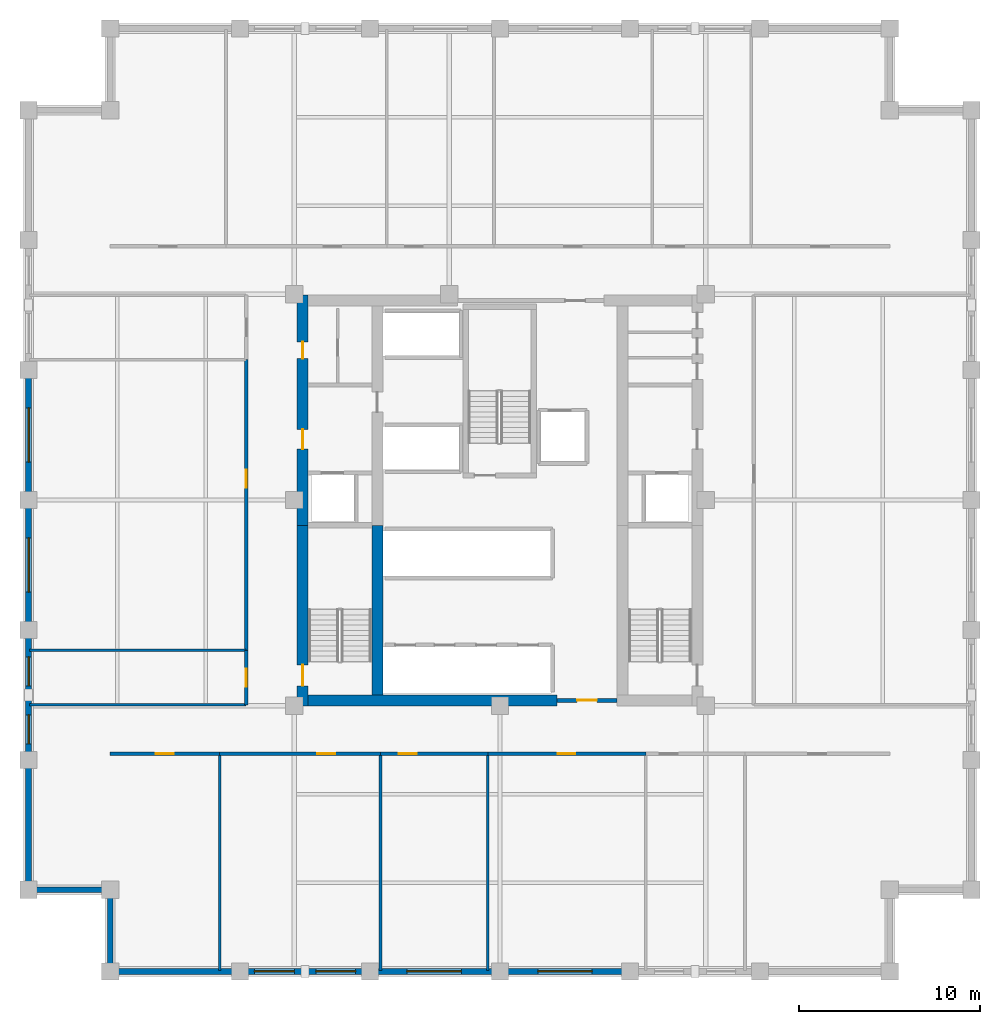
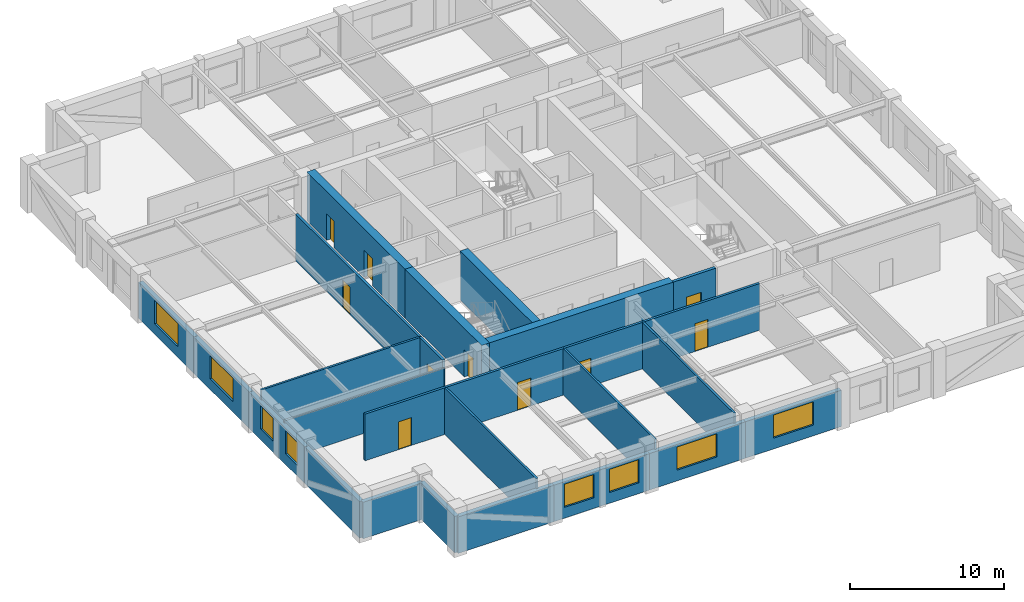
# One storey, part 2 of 6: 26 walls, 10 doors, 8 windows, 18 openings.
"""IFC4 building model written with IfcOpenShell, lengths in metres."""

from ifc_helpers import new_model, si_unit, direction, frame, frame_2d, origin, place, context, subcontext, project, spatial, rectangle, extrude, material, layer, layer_set, type_object, element, fill, save


model = new_model("IFC4")

# Units and contexts
model_context = context("Model", 3, precision=1e-05, world=origin(), true_north=direction((0.0, 1.0)))
body_context = subcontext(model_context, "Body", "Model", "MODEL_VIEW")
ifc_project = project(units=[si_unit("LENGTHUNIT", "METRE"), si_unit("AREAUNIT", "SQUARE_METRE"), si_unit("VOLUMEUNIT", "CUBIC_METRE"), si_unit("PLANEANGLEUNIT", "RADIAN"), si_unit("MASSUNIT", "GRAM", prefix="KILO")], contexts=[model_context])

# Site, building, storey
site_placement = place(None, origin())
site = spatial("IfcSite", under=ifc_project, at=site_placement, CompositionType="ELEMENT")
building_placement = place(site_placement, origin())
building = spatial("IfcBuilding", under=site, at=building_placement, Name="Nhamokura Convention Tower", CompositionType="ELEMENT")
storey_placement = place(building_placement, frame((0.0, 0.0, 129.85009765625)))
storey = spatial("IfcBuildingStorey", under=building, at=storey_placement, Name="L31", CompositionType="ELEMENT", Elevation=129.85009765625)

# Wall
ifc_material_1 = material(Name="Bronze-pigmented precast concrete C45/55", Category="concrete")
ifc_layer_1 = layer(ifc_material_1, 0.320068359375)
ifc_layer_set_1 = layer_set([ifc_layer_1], Name="BronzePrecastSpandrel_320")
wall_type_1 = type_object("IfcWallType", Name="BronzePrecastSpandrel_320", PredefinedType="USERDEFINED", material=ifc_layer_set_1)
wall_1_placement = place(storey_placement, frame((17.666748046875, 6.0, 0.0), z_axis=(0.0, 0.0, 1.0), x_axis=(-1.0, 0.0, 0.0)))
element("IfcWall", 1, at=wall_1_placement, inside=storey, type_object=wall_type_1, Name="L31 Braced-Bay Precast Wall SOUTH 0", ObjectType="SPANDREL_WALL", PredefinedType="USERDEFINED", context=body_context, shape_type="SweptSolid", body=[
    extrude(rectangle(XDim=7.166748046875, YDim=0.320068359375, at=frame_2d((3.58349609375, 0.0))), origin(), (0.0, 0.0, 1.0), 2.885009765625),
])

# Wall, openings, windows
wall_2_placement = place(storey_placement, frame((24.833251953125, 6.0, 0.0), z_axis=(0.0, 0.0, 1.0), x_axis=(-1.0, 0.0, 0.0)))
wall_2 = element("IfcWall", 2, at=wall_2_placement, inside=storey, type_object=wall_type_1, Name="L31 Masonry-Frame Wall SOUTH 1", ObjectType="SPANDREL_WALL", PredefinedType="USERDEFINED", context=body_context, shape_type="SweptSolid", body=[
    extrude(rectangle(XDim=7.16650390625, YDim=0.320068359375, at=frame_2d((3.583251953125, 0.0))), origin(), (0.0, 0.0, 1.0), 2.885009765625),
])
opening_1_placement = place(wall_2_placement, frame((0.791748046875, 0.0, 0.85009765625)))
opening_1 = element("IfcOpeningElement", 3, at=opening_1_placement, cuts=wall_2, Name="Opening W-06", PredefinedType="OPENING", context=body_context, shape_type="SweptSolid", body=[
    extrude(rectangle(XDim=2.199951171875, YDim=1.8349609375, at=frame_2d((1.10009765625, 0.91748046875))), frame((0.0, 0.169921875, 0.0), z_axis=(0.0, -1.0, 0.0), x_axis=(1.0, 0.0, 0.0)), (0.0, 0.0, 1.0), 0.340087890625),
])
opening_2_placement = place(wall_2_placement, frame((4.175048828125, 0.0, 0.85009765625)))
opening_2 = element("IfcOpeningElement", 4, at=opening_2_placement, cuts=wall_2, Name="Opening W-06", PredefinedType="OPENING", context=body_context, shape_type="SweptSolid", body=[
    extrude(rectangle(XDim=2.199951171875, YDim=1.8349609375, at=frame_2d((1.10009765625, 0.91748046875))), frame((0.0, 0.169921875, 0.0), z_axis=(0.0, -1.0, 0.0), x_axis=(1.0, 0.0, 0.0)), (0.0, 0.0, 1.0), 0.340087890625),
])
ifc_material_2 = material(Name="Solar-control bronze low-E double glass", Category="glass")
window_type_1 = type_object("IfcWindowType", Name="OfficeModuleWindow_Z2_2200", PartitioningType="SINGLE_PANEL", PredefinedType="WINDOW", material=ifc_material_2)
window_1_placement = place(opening_1_placement, origin())
window_1 = element("IfcWindow", 5, at=window_1_placement, inside=storey, type_object=window_type_1, Name="L31 Facade Window SOUTH 1-1", OverallHeight=1.8349609375, OverallWidth=2.199951171875, PartitioningType="SINGLE_PANEL", PredefinedType="WINDOW", context=body_context, shape_type="SweptSolid", body=[
    extrude(rectangle(XDim=2.199951171875, YDim=1.8349609375, at=frame_2d((1.10009765625, 0.91748046875))), frame((0.0, 0.030029296875, 0.0), z_axis=(0.0, -1.0, 0.0), x_axis=(1.0, 0.0, 0.0)), (0.0, 0.0, 1.0), 0.06005859375),
])
fill(opening_1, window_1)
window_2_placement = place(opening_2_placement, origin())
window_2 = element("IfcWindow", 6, at=window_2_placement, inside=storey, type_object=window_type_1, Name="L31 Facade Window SOUTH 1-2", OverallHeight=1.8349609375, OverallWidth=2.199951171875, PartitioningType="SINGLE_PANEL", PredefinedType="WINDOW", context=body_context, shape_type="SweptSolid", body=[
    extrude(rectangle(XDim=2.199951171875, YDim=1.8349609375, at=frame_2d((1.10009765625, 0.91748046875))), frame((0.0, 0.030029296875, 0.0), z_axis=(0.0, -1.0, 0.0), x_axis=(1.0, 0.0, 0.0)), (0.0, 0.0, 1.0), 0.06005859375),
])
fill(opening_2, window_2)

# Wall, opening, window
wall_3_placement = place(storey_placement, frame((32.0, 6.0, 0.0), z_axis=(0.0, 0.0, 1.0), x_axis=(-1.0, 0.0, 0.0)))
wall_3 = element("IfcWall", 7, at=wall_3_placement, inside=storey, type_object=wall_type_1, Name="L31 Masonry-Frame Wall SOUTH 2", ObjectType="SPANDREL_WALL", PredefinedType="USERDEFINED", context=body_context, shape_type="SweptSolid", body=[
    extrude(rectangle(XDim=7.166748046875, YDim=0.320068359375, at=frame_2d((3.58349609375, 0.0))), origin(), (0.0, 0.0, 1.0), 2.885009765625),
])
opening_3_placement = place(wall_3_placement, frame((2.13330078125, 0.0, 0.85009765625)))
opening_3 = element("IfcOpeningElement", 8, at=opening_3_placement, cuts=wall_3, Name="Opening W-05", PredefinedType="OPENING", context=body_context, shape_type="SweptSolid", body=[
    extrude(rectangle(XDim=3.0, YDim=1.8349609375, at=frame_2d((1.5, 0.91748046875))), frame((0.0, 0.169921875, 0.0), z_axis=(0.0, -1.0, 0.0), x_axis=(1.0, 0.0, 0.0)), (0.0, 0.0, 1.0), 0.340087890625),
])
ifc_material_3 = material(Name="Solar-control bronze low-E double glass", Category="glass")
window_type_2 = type_object("IfcWindowType", Name="OfficeModuleWindow_Z2_3000", PartitioningType="DOUBLE_PANEL_VERTICAL", PredefinedType="WINDOW", material=ifc_material_3)
window_3_placement = place(opening_3_placement, origin())
window_3 = element("IfcWindow", 9, at=window_3_placement, inside=storey, type_object=window_type_2, Name="L31 Facade Window SOUTH 2", OverallHeight=1.8349609375, OverallWidth=3.0, PartitioningType="SINGLE_PANEL", PredefinedType="WINDOW", context=body_context, shape_type="SweptSolid", body=[
    extrude(rectangle(XDim=3.0, YDim=1.8349609375, at=frame_2d((1.5, 0.91748046875))), frame((0.0, 0.030029296875, 0.0), z_axis=(0.0, -1.0, 0.0), x_axis=(1.0, 0.0, 0.0)), (0.0, 0.0, 1.0), 0.06005859375),
])
fill(opening_3, window_3)

wall_4_placement = place(storey_placement, frame((39.166748046875, 6.0, 0.0), z_axis=(0.0, 0.0, 1.0), x_axis=(-1.0, 0.0, 0.0)))
wall_4 = element("IfcWall", 10, at=wall_4_placement, inside=storey, type_object=wall_type_1, Name="L31 Masonry-Frame Wall SOUTH 3", ObjectType="SPANDREL_WALL", PredefinedType="USERDEFINED", context=body_context, shape_type="SweptSolid", body=[
    extrude(rectangle(XDim=7.166748046875, YDim=0.320068359375, at=frame_2d((3.58349609375, 0.0))), origin(), (0.0, 0.0, 1.0), 2.885009765625),
])
opening_4_placement = place(wall_4_placement, frame((2.083251953125, 0.0, 0.85009765625)))
opening_4 = element("IfcOpeningElement", 11, at=opening_4_placement, cuts=wall_4, Name="Opening W-05", PredefinedType="OPENING", context=body_context, shape_type="SweptSolid", body=[
    extrude(rectangle(XDim=3.0, YDim=1.8349609375, at=frame_2d((1.5, 0.91748046875))), frame((0.0, 0.169921875, 0.0), z_axis=(0.0, -1.0, 0.0), x_axis=(1.0, 0.0, 0.0)), (0.0, 0.0, 1.0), 0.340087890625),
])
window_4_placement = place(opening_4_placement, origin())
window_4 = element("IfcWindow", 12, at=window_4_placement, inside=storey, type_object=window_type_2, Name="L31 Facade Window SOUTH 3", OverallHeight=1.8349609375, OverallWidth=3.0, PartitioningType="SINGLE_PANEL", PredefinedType="WINDOW", context=body_context, shape_type="SweptSolid", body=[
    extrude(rectangle(XDim=3.0, YDim=1.8349609375, at=frame_2d((1.5, 0.91748046875))), frame((0.0, 0.030029296875, 0.0), z_axis=(0.0, -1.0, 0.0), x_axis=(1.0, 0.0, 0.0)), (0.0, 0.0, 1.0), 0.06005859375),
])
fill(opening_4, window_4)

# Wall
wall_5_placement = place(storey_placement, frame((6.0, 10.5, 0.0), z_axis=(0.0, 0.0, 1.0), x_axis=(0.0, 1.0, 0.0)))
element("IfcWall", 13, at=wall_5_placement, inside=storey, type_object=wall_type_1, Name="L31 Braced-Bay Precast Wall WEST 0", ObjectType="SPANDREL_WALL", PredefinedType="USERDEFINED", context=body_context, shape_type="SweptSolid", body=[
    extrude(rectangle(XDim=7.166748046875, YDim=0.320068359375, at=frame_2d((3.58349609375, 0.0))), origin(), (0.0, 0.0, 1.0), 2.885009765625),
])

# Wall, openings, windows
wall_6_placement = place(storey_placement, frame((6.0, 17.666748046875, 0.0), z_axis=(0.0, 0.0, 1.0), x_axis=(0.0, 1.0, 0.0)))
wall_6 = element("IfcWall", 14, at=wall_6_placement, inside=storey, type_object=wall_type_1, Name="L31 Masonry-Frame Wall WEST 1", ObjectType="SPANDREL_WALL", PredefinedType="USERDEFINED", context=body_context, shape_type="SweptSolid", body=[
    extrude(rectangle(XDim=7.16650390625, YDim=0.320068359375, at=frame_2d((3.583251953125, 0.0))), origin(), (0.0, 0.0, 1.0), 2.885009765625),
])
opening_5_placement = place(wall_6_placement, frame((0.879150390625, 0.0, 0.85009765625)))
opening_5 = element("IfcOpeningElement", 15, at=opening_5_placement, cuts=wall_6, Name="Opening W-11", PredefinedType="OPENING", context=body_context, shape_type="SweptSolid", body=[
    extrude(rectangle(XDim=1.60009765625, YDim=1.8349609375, at=frame_2d((0.800048828125, 0.91748046875))), frame((0.0, 0.169921875, 0.0), z_axis=(0.0, -1.0, 0.0), x_axis=(1.0, 0.0, 0.0)), (0.0, 0.0, 1.0), 0.340087890625),
])
opening_6_placement = place(wall_6_placement, frame((4.074951171875, 0.0, 0.85009765625)))
opening_6 = element("IfcOpeningElement", 16, at=opening_6_placement, cuts=wall_6, Name="Opening W-11", PredefinedType="OPENING", context=body_context, shape_type="SweptSolid", body=[
    extrude(rectangle(XDim=1.60009765625, YDim=1.8349609375, at=frame_2d((0.800048828125, 0.91748046875))), frame((0.0, 0.169921875, 0.0), z_axis=(0.0, -1.0, 0.0), x_axis=(1.0, 0.0, 0.0)), (0.0, 0.0, 1.0), 0.340087890625),
])
ifc_material_4 = material(Name="Solar-control bronze low-E double glass", Category="glass")
window_type_3 = type_object("IfcWindowType", Name="NotchCornerWindow_1600", PartitioningType="SINGLE_PANEL", PredefinedType="WINDOW", material=ifc_material_4)
window_5_placement = place(opening_5_placement, origin())
window_5 = element("IfcWindow", 17, at=window_5_placement, inside=storey, type_object=window_type_3, Name="L31 Facade Window WEST 1-1", OverallHeight=1.8349609375, OverallWidth=1.60009765625, PartitioningType="SINGLE_PANEL", PredefinedType="WINDOW", context=body_context, shape_type="SweptSolid", body=[
    extrude(rectangle(XDim=1.60009765625, YDim=1.8349609375, at=frame_2d((0.800048828125, 0.91748046875))), frame((0.0, 0.030029296875, 0.0), z_axis=(0.0, -1.0, 0.0), x_axis=(1.0, 0.0, 0.0)), (0.0, 0.0, 1.0), 0.06005859375),
])
fill(opening_5, window_5)
window_6_placement = place(opening_6_placement, origin())
window_6 = element("IfcWindow", 18, at=window_6_placement, inside=storey, type_object=window_type_3, Name="L31 Facade Window WEST 1-2", OverallHeight=1.8349609375, OverallWidth=1.60009765625, PartitioningType="SINGLE_PANEL", PredefinedType="WINDOW", context=body_context, shape_type="SweptSolid", body=[
    extrude(rectangle(XDim=1.60009765625, YDim=1.8349609375, at=frame_2d((0.800048828125, 0.91748046875))), frame((0.0, 0.030029296875, 0.0), z_axis=(0.0, -1.0, 0.0), x_axis=(1.0, 0.0, 0.0)), (0.0, 0.0, 1.0), 0.06005859375),
])
fill(opening_6, window_6)

# Wall, opening, window
wall_7_placement = place(storey_placement, frame((6.0, 24.833251953125, 0.0), z_axis=(0.0, 0.0, 1.0), x_axis=(0.0, 1.0, 0.0)))
wall_7 = element("IfcWall", 19, at=wall_7_placement, inside=storey, type_object=wall_type_1, Name="L31 Masonry-Frame Wall WEST 2", ObjectType="SPANDREL_WALL", PredefinedType="USERDEFINED", context=body_context, shape_type="SweptSolid", body=[
    extrude(rectangle(XDim=7.166748046875, YDim=0.320068359375, at=frame_2d((3.58349609375, 0.0))), origin(), (0.0, 0.0, 1.0), 2.885009765625),
])
opening_7_placement = place(wall_7_placement, frame((2.083251953125, 0.0, 0.85009765625)))
opening_7 = element("IfcOpeningElement", 20, at=opening_7_placement, cuts=wall_7, Name="Opening W-05", PredefinedType="OPENING", context=body_context, shape_type="SweptSolid", body=[
    extrude(rectangle(XDim=3.0, YDim=1.8349609375, at=frame_2d((1.5, 0.91748046875))), frame((0.0, 0.169921875, 0.0), z_axis=(0.0, -1.0, 0.0), x_axis=(1.0, 0.0, 0.0)), (0.0, 0.0, 1.0), 0.340087890625),
])
window_7_placement = place(opening_7_placement, origin())
window_7 = element("IfcWindow", 21, at=window_7_placement, inside=storey, type_object=window_type_2, Name="L31 Facade Window WEST 2", OverallHeight=1.8349609375, OverallWidth=3.0, PartitioningType="SINGLE_PANEL", PredefinedType="WINDOW", context=body_context, shape_type="SweptSolid", body=[
    extrude(rectangle(XDim=3.0, YDim=1.8349609375, at=frame_2d((1.5, 0.91748046875))), frame((0.0, 0.030029296875, 0.0), z_axis=(0.0, -1.0, 0.0), x_axis=(1.0, 0.0, 0.0)), (0.0, 0.0, 1.0), 0.06005859375),
])
fill(opening_7, window_7)

wall_8_placement = place(storey_placement, frame((6.0, 32.0, 0.0), z_axis=(0.0, 0.0, 1.0), x_axis=(0.0, 1.0, 0.0)))
wall_8 = element("IfcWall", 22, at=wall_8_placement, inside=storey, type_object=wall_type_1, Name="L31 Masonry-Frame Wall WEST 3", ObjectType="SPANDREL_WALL", PredefinedType="USERDEFINED", context=body_context, shape_type="SweptSolid", body=[
    extrude(rectangle(XDim=7.166748046875, YDim=0.320068359375, at=frame_2d((3.58349609375, 0.0))), origin(), (0.0, 0.0, 1.0), 2.885009765625),
])
opening_8_placement = place(wall_8_placement, frame((2.083251953125, 0.0, 0.85009765625)))
opening_8 = element("IfcOpeningElement", 23, at=opening_8_placement, cuts=wall_8, Name="Opening W-05", PredefinedType="OPENING", context=body_context, shape_type="SweptSolid", body=[
    extrude(rectangle(XDim=3.0, YDim=1.8349609375, at=frame_2d((1.5, 0.91748046875))), frame((0.0, 0.169921875, 0.0), z_axis=(0.0, -1.0, 0.0), x_axis=(1.0, 0.0, 0.0)), (0.0, 0.0, 1.0), 0.340087890625),
])
window_8_placement = place(opening_8_placement, origin())
window_8 = element("IfcWindow", 24, at=window_8_placement, inside=storey, type_object=window_type_2, Name="L31 Facade Window WEST 3", OverallHeight=1.8349609375, OverallWidth=3.0, PartitioningType="SINGLE_PANEL", PredefinedType="WINDOW", context=body_context, shape_type="SweptSolid", body=[
    extrude(rectangle(XDim=3.0, YDim=1.8349609375, at=frame_2d((1.5, 0.91748046875))), frame((0.0, 0.030029296875, 0.0), z_axis=(0.0, -1.0, 0.0), x_axis=(1.0, 0.0, 0.0)), (0.0, 0.0, 1.0), 0.06005859375),
])
fill(opening_8, window_8)

# Walls
for number, where, z_axis, x_axis, name in (
    (25, (10.5, 6.0, 0.0), (0.0, 0.0, 1.0), (0.0, 1.0, 0.0), "L31 Notched Corner Wall SW1"),
    (26, (10.5, 10.5, 0.0), (0.0, 0.0, 1.0), (-1.0, 0.0, 0.0), "L31 Notched Corner Wall SW2"),
):
    element("IfcWall", number, at=place(storey_placement, frame(where, z_axis=z_axis, x_axis=x_axis)), inside=storey, type_object=wall_type_1, Name=name, ObjectType="SPANDREL_WALL", PredefinedType="USERDEFINED", context=body_context, shape_type="SweptSolid", body=[
        extrude(rectangle(XDim=4.5, YDim=0.320068359375, at=frame_2d((2.25, 0.0))), origin(), (0.0, 0.0, 1.0), 2.885009765625),
    ])

# Wall, opening, door
ifc_material_5 = material(Name="Concrete C60/75", Category="concrete")
ifc_layer_2 = layer(ifc_material_5, 0.60009765625)
ifc_layer_set_2 = layer_set([ifc_layer_2], Name="CoreShearWall_600")
wall_type_2 = type_object("IfcWallType", Name="CoreShearWall_600", PredefinedType="SHEAR", material=ifc_layer_set_2)
wall_9_placement = place(storey_placement, frame((21.110107421875, 20.64990234375, 0.0), z_axis=(0.0, 0.0, 1.0), x_axis=(0.0, 1.0, 0.0)))
wall_9 = element("IfcWall", 27, at=wall_9_placement, inside=storey, type_object=wall_type_2, Name="L31 Core Shear Wall CW-WS", PredefinedType="SHEAR", context=body_context, shape_type="SweptSolid", body=[
    extrude(rectangle(XDim=9.9501953125, YDim=0.60009765625, at=frame_2d((4.97509765625, 0.0))), origin(), (0.0, 0.0, 1.0), 3.849853515625),
])
opening_9_placement = place(wall_9_placement, frame((1.10009765625, 0.0, 0.0)))
opening_9 = element("IfcOpeningElement", 28, at=opening_9_placement, cuts=wall_9, Name="Opening D-04", PredefinedType="OPENING", context=body_context, shape_type="SweptSolid", body=[
    extrude(rectangle(XDim=1.14990234375, YDim=2.14990234375, at=frame_2d((0.574951171875, 1.074951171875))), frame((0.0, 0.31005859375, 0.0), z_axis=(0.0, -1.0, 0.0), x_axis=(1.0, 0.0, 0.0)), (0.0, 0.0, 1.0), 0.6201171875),
])
ifc_material_6 = material(Name="Fire-rated steel door", Category="steel")
door_type_1 = type_object("IfcDoorType", Name="StairSmokeDoor_1150", OperationType="NOTDEFINED", PredefinedType="DOOR", material=ifc_material_6)
door_1_placement = place(opening_9_placement, origin())
door_1 = element("IfcDoor", 29, at=door_1_placement, inside=storey, type_object=door_type_1, Name="L31 Core Door INT-L31-D-ST01", OperationType="SINGLE_SWING_LEFT", OverallHeight=2.14990234375, OverallWidth=1.14990234375, PredefinedType="DOOR", context=body_context, shape_type="SweptSolid", body=[
    extrude(rectangle(XDim=1.14990234375, YDim=2.14990234375, at=frame_2d((0.574951171875, 1.074951171875))), frame((0.0, 0.02490234375, 0.0), z_axis=(0.0, -1.0, 0.0), x_axis=(1.0, 0.0, 0.0)), (0.0, 0.0, 1.0), 0.050048828125),
])
fill(opening_9, door_1)

# Wall, openings, doors
wall_10_placement = place(storey_placement, frame((21.110107421875, 30.60009765625, 0.0), z_axis=(0.0, 0.0, 1.0), x_axis=(0.0, 1.0, 0.0)))
wall_10 = element("IfcWall", 30, at=wall_10_placement, inside=storey, type_object=wall_type_2, Name="L31 Core Shear Wall CW-WN", PredefinedType="SHEAR", context=body_context, shape_type="SweptSolid", body=[
    extrude(rectangle(XDim=12.699951171875, YDim=0.60009765625, at=frame_2d((6.35009765625, 0.0))), origin(), (0.0, 0.0, 1.0), 3.849853515625),
])
opening_10_placement = place(wall_10_placement, frame((4.199951171875, 0.0, 0.0)))
opening_10 = element("IfcOpeningElement", 31, at=opening_10_placement, cuts=wall_10, Name="Opening D-05", PredefinedType="OPENING", context=body_context, shape_type="SweptSolid", body=[
    extrude(rectangle(XDim=1.10009765625, YDim=2.14990234375, at=frame_2d((0.550048828125, 1.074951171875))), frame((0.0, 0.31005859375, 0.0), z_axis=(0.0, -1.0, 0.0), x_axis=(1.0, 0.0, 0.0)), (0.0, 0.0, 1.0), 0.6201171875),
])
opening_11_placement = place(wall_10_placement, frame((9.199951171875, 0.0, 0.0)))
opening_11 = element("IfcOpeningElement", 32, at=opening_11_placement, cuts=wall_10, Name="Opening D-10", PredefinedType="OPENING", context=body_context, shape_type="SweptSolid", body=[
    extrude(rectangle(XDim=0.919921875, YDim=2.10009765625, at=frame_2d((0.4599609375, 1.050048828125))), frame((0.0, 0.31005859375, 0.0), z_axis=(0.0, -1.0, 0.0), x_axis=(1.0, 0.0, 0.0)), (0.0, 0.0, 1.0), 0.6201171875),
])
ifc_material_7 = material(Name="Solid oak hardwood", Category="wood")
door_type_2 = type_object("IfcDoorType", Name="AccessibleWCDoor_920", OperationType="NOTDEFINED", PredefinedType="DOOR", material=ifc_material_7)
door_2_placement = place(opening_11_placement, origin())
door_2 = element("IfcDoor", 33, at=door_2_placement, inside=storey, type_object=door_type_2, Name="L31 Core Door INT-L31-D-AWCW", OperationType="SINGLE_SWING_RIGHT", OverallHeight=2.10009765625, OverallWidth=0.919921875, PredefinedType="DOOR", context=body_context, shape_type="SweptSolid", body=[
    extrude(rectangle(XDim=0.919921875, YDim=2.10009765625, at=frame_2d((0.4599609375, 1.050048828125))), frame((0.0, 0.02490234375, 0.0), z_axis=(0.0, -1.0, 0.0), x_axis=(1.0, 0.0, 0.0)), (0.0, 0.0, 1.0), 0.050048828125),
])
fill(opening_11, door_2)
ifc_material_8 = material(Name="Fire-rated steel door", Category="steel")
door_type_3 = type_object("IfcDoorType", Name="FireLobbyDoor_1100", OperationType="NOTDEFINED", PredefinedType="DOOR", material=ifc_material_8)
door_3_placement = place(opening_10_placement, origin())
door_3 = element("IfcDoor", 34, at=door_3_placement, inside=storey, type_object=door_type_3, Name="L31 Core Door INT-L31-D-FFLW", OperationType="SINGLE_SWING_RIGHT", OverallHeight=2.14990234375, OverallWidth=1.10009765625, PredefinedType="DOOR", context=body_context, shape_type="SweptSolid", body=[
    extrude(rectangle(XDim=1.10009765625, YDim=2.14990234375, at=frame_2d((0.550048828125, 1.074951171875))), frame((0.0, 0.02490234375, 0.0), z_axis=(0.0, -1.0, 0.0), x_axis=(1.0, 0.0, 0.0)), (0.0, 0.0, 1.0), 0.050048828125),
])
fill(opening_10, door_3)

# Walls
wall_11_placement = place(storey_placement, frame((21.409912109375, 20.949951171875, 0.0), z_axis=(0.0, 0.0, 1.0), x_axis=(1.0, 0.0, 0.0)))
element("IfcWall", 35, at=wall_11_placement, inside=storey, type_object=wall_type_2, Name="L31 Core Shear Wall CW-S1", PredefinedType="SHEAR", context=body_context, shape_type="SweptSolid", body=[
    extrude(rectangle(XDim=13.739990234375, YDim=0.60009765625, at=frame_2d((6.8701171875, 0.0))), origin(), (0.0, 0.0, 1.0), 3.849853515625),
])
wall_12_placement = place(storey_placement, frame((25.239990234375, 21.25, 0.0), z_axis=(0.0, 0.0, 1.0), x_axis=(0.0, 1.0, 0.0)))
element("IfcWall", 36, at=wall_12_placement, inside=storey, type_object=wall_type_2, Name="L31 Core Shear Wall CW-IWS", PredefinedType="SHEAR", context=body_context, shape_type="SweptSolid", body=[
    extrude(rectangle(XDim=9.35009765625, YDim=0.60009765625, at=frame_2d((4.675048828125, 0.0))), origin(), (0.0, 0.0, 1.0), 3.849853515625),
])

# Wall, opening, door
ifc_material_9 = material(Name="Fire-rated gypsum and masonry partition", Category="masonry")
ifc_layer_3 = layer(ifc_material_9, 0.179931640625)
ifc_layer_set_3 = layer_set([ifc_layer_3], Name="CorridorRatedWall_180")
wall_type_3 = type_object("IfcWallType", Name="CorridorRatedWall_180", PredefinedType="STANDARD", material=ifc_layer_set_3)
wall_13_placement = place(storey_placement, frame((10.5, 18.0, 0.0), z_axis=(0.0, 0.0, 1.0), x_axis=(1.0, 0.0, 0.0)))
wall_13 = element("IfcWall", 37, at=wall_13_placement, inside=storey, type_object=wall_type_3, Name="L31 Wall INT-L31-CW-S00", PredefinedType="STANDARD", context=body_context, shape_type="SweptSolid", body=[
    extrude(rectangle(XDim=6.041748046875, YDim=0.179931640625, at=frame_2d((3.02099609375, 0.0))), origin(), (0.0, 0.0, 1.0), 3.684814453125),
])
opening_12_placement = place(wall_13_placement, frame((2.520751953125, 0.0, 0.0)))
opening_12 = element("IfcOpeningElement", 38, at=opening_12_placement, cuts=wall_13, Name="Opening D-08", PredefinedType="OPENING", context=body_context, shape_type="SweptSolid", body=[
    extrude(rectangle(XDim=0.97998046875, YDim=2.199951171875, at=frame_2d((0.489990234375, 1.10009765625))), frame((0.0, 0.099853515625, 0.0), z_axis=(0.0, -1.0, 0.0), x_axis=(1.0, 0.0, 0.0)), (0.0, 0.0, 1.0), 0.199951171875),
])
ifc_material_10 = material(Name="Solid oak hardwood", Category="wood")
door_type_4 = type_object("IfcDoorType", Name="OfficeEntryDoor_980", OperationType="NOTDEFINED", PredefinedType="DOOR", material=ifc_material_10)
door_4_placement = place(opening_12_placement, origin())
door_4 = element("IfcDoor", 39, at=door_4_placement, inside=storey, type_object=door_type_4, Name="L31 Private Office S01 Door", OperationType="SINGLE_SWING_LEFT", OverallHeight=2.199951171875, OverallWidth=0.97998046875, PredefinedType="DOOR", context=body_context, shape_type="SweptSolid", body=[
    extrude(rectangle(XDim=0.97998046875, YDim=2.199951171875, at=frame_2d((0.489990234375, 1.10009765625))), frame((0.0, 0.02490234375, 0.0), z_axis=(0.0, -1.0, 0.0), x_axis=(1.0, 0.0, 0.0)), (0.0, 0.0, 1.0), 0.050048828125),
])
fill(opening_12, door_4)

wall_14_placement = place(storey_placement, frame((16.541748046875, 18.0, 0.0), z_axis=(0.0, 0.0, 1.0), x_axis=(1.0, 0.0, 0.0)))
wall_14 = element("IfcWall", 40, at=wall_14_placement, inside=storey, type_object=wall_type_3, Name="L31 Wall INT-L31-CW-S01", PredefinedType="STANDARD", context=body_context, shape_type="SweptSolid", body=[
    extrude(rectangle(XDim=8.866455078125, YDim=0.179931640625, at=frame_2d((4.43310546875, 0.0))), origin(), (0.0, 0.0, 1.0), 3.684814453125),
])
opening_13_placement = place(wall_14_placement, frame((5.38330078125, 0.0, 0.0)))
opening_13 = element("IfcOpeningElement", 41, at=opening_13_placement, cuts=wall_14, Name="Opening D-08", PredefinedType="OPENING", context=body_context, shape_type="SweptSolid", body=[
    extrude(rectangle(XDim=0.97998046875, YDim=2.199951171875, at=frame_2d((0.489990234375, 1.10009765625))), frame((0.0, 0.099853515625, 0.0), z_axis=(0.0, -1.0, 0.0), x_axis=(1.0, 0.0, 0.0)), (0.0, 0.0, 1.0), 0.199951171875),
])
door_5_placement = place(opening_13_placement, origin())
door_5 = element("IfcDoor", 42, at=door_5_placement, inside=storey, type_object=door_type_4, Name="L31 Private Office S02 Door", OperationType="SINGLE_SWING_RIGHT", OverallHeight=2.199951171875, OverallWidth=0.97998046875, PredefinedType="DOOR", context=body_context, shape_type="SweptSolid", body=[
    extrude(rectangle(XDim=0.97998046875, YDim=2.199951171875, at=frame_2d((0.489990234375, 1.10009765625))), frame((0.0, 0.02490234375, 0.0), z_axis=(0.0, -1.0, 0.0), x_axis=(1.0, 0.0, 0.0)), (0.0, 0.0, 1.0), 0.050048828125),
])
fill(opening_13, door_5)

wall_15_placement = place(storey_placement, frame((25.408203125, 18.0, 0.0), z_axis=(0.0, 0.0, 1.0), x_axis=(1.0, 0.0, 0.0)))
wall_15 = element("IfcWall", 43, at=wall_15_placement, inside=storey, type_object=wall_type_3, Name="L31 Wall INT-L31-CW-S02", PredefinedType="STANDARD", context=body_context, shape_type="SweptSolid", body=[
    extrude(rectangle(XDim=5.916748046875, YDim=0.179931640625, at=frame_2d((2.95849609375, 0.0))), origin(), (0.0, 0.0, 1.0), 3.684814453125),
])
opening_14_placement = place(wall_15_placement, frame((1.00830078125, 0.0, 0.0)))
opening_14 = element("IfcOpeningElement", 44, at=opening_14_placement, cuts=wall_15, Name="Opening D-08", PredefinedType="OPENING", context=body_context, shape_type="SweptSolid", body=[
    extrude(rectangle(XDim=0.97998046875, YDim=2.199951171875, at=frame_2d((0.489990234375, 1.10009765625))), frame((0.0, 0.099853515625, 0.0), z_axis=(0.0, -1.0, 0.0), x_axis=(1.0, 0.0, 0.0)), (0.0, 0.0, 1.0), 0.199951171875),
])
door_6_placement = place(opening_14_placement, origin())
door_6 = element("IfcDoor", 45, at=door_6_placement, inside=storey, type_object=door_type_4, Name="L31 Private Office S03 Door", OperationType="SINGLE_SWING_LEFT", OverallHeight=2.199951171875, OverallWidth=0.97998046875, PredefinedType="DOOR", context=body_context, shape_type="SweptSolid", body=[
    extrude(rectangle(XDim=0.97998046875, YDim=2.199951171875, at=frame_2d((0.489990234375, 1.10009765625))), frame((0.0, 0.02490234375, 0.0), z_axis=(0.0, -1.0, 0.0), x_axis=(1.0, 0.0, 0.0)), (0.0, 0.0, 1.0), 0.050048828125),
])
fill(opening_14, door_6)

wall_16_placement = place(storey_placement, frame((31.324951171875, 18.0, 0.0), z_axis=(0.0, 0.0, 1.0), x_axis=(1.0, 0.0, 0.0)))
wall_16 = element("IfcWall", 46, at=wall_16_placement, inside=storey, type_object=wall_type_3, Name="L31 Wall INT-L31-CW-S03", PredefinedType="STANDARD", context=body_context, shape_type="SweptSolid", body=[
    extrude(rectangle(XDim=8.716796875, YDim=0.179931640625, at=frame_2d((4.3583984375, 0.0))), origin(), (0.0, 0.0, 1.0), 3.684814453125),
])
opening_15_placement = place(wall_16_placement, frame((3.8583984375, 0.0, 0.0)))
opening_15 = element("IfcOpeningElement", 47, at=opening_15_placement, cuts=wall_16, Name="Opening D-08", PredefinedType="OPENING", context=body_context, shape_type="SweptSolid", body=[
    extrude(rectangle(XDim=0.97998046875, YDim=2.199951171875, at=frame_2d((0.489990234375, 1.10009765625))), frame((0.0, 0.099853515625, 0.0), z_axis=(0.0, -1.0, 0.0), x_axis=(1.0, 0.0, 0.0)), (0.0, 0.0, 1.0), 0.199951171875),
])
door_7_placement = place(opening_15_placement, origin())
door_7 = element("IfcDoor", 48, at=door_7_placement, inside=storey, type_object=door_type_4, Name="L31 Private Office S04 Door", OperationType="SINGLE_SWING_RIGHT", OverallHeight=2.199951171875, OverallWidth=0.97998046875, PredefinedType="DOOR", context=body_context, shape_type="SweptSolid", body=[
    extrude(rectangle(XDim=0.97998046875, YDim=2.199951171875, at=frame_2d((0.489990234375, 1.10009765625))), frame((0.0, 0.02490234375, 0.0), z_axis=(0.0, -1.0, 0.0), x_axis=(1.0, 0.0, 0.0)), (0.0, 0.0, 1.0), 0.050048828125),
])
fill(opening_15, door_7)

wall_17_placement = place(storey_placement, frame((18.0, 20.699951171875, 0.0), z_axis=(0.0, 0.0, 1.0), x_axis=(0.0, 1.0, 0.0)))
wall_17 = element("IfcWall", 49, at=wall_17_placement, inside=storey, type_object=wall_type_3, Name="L31 Wall INT-L31-CW-W00", PredefinedType="STANDARD", context=body_context, shape_type="SweptSolid", body=[
    extrude(rectangle(XDim=3.00830078125, YDim=0.179931640625, at=frame_2d((1.504150390625, 0.0))), origin(), (0.0, 0.0, 1.0), 3.684814453125),
])
opening_16_placement = place(wall_17_placement, frame((1.004150390625, 0.0, 0.0)))
opening_16 = element("IfcOpeningElement", 50, at=opening_16_placement, cuts=wall_17, Name="Opening D-08", PredefinedType="OPENING", context=body_context, shape_type="SweptSolid", body=[
    extrude(rectangle(XDim=0.97998046875, YDim=2.199951171875, at=frame_2d((0.489990234375, 1.10009765625))), frame((0.0, 0.099853515625, 0.0), z_axis=(0.0, -1.0, 0.0), x_axis=(1.0, 0.0, 0.0)), (0.0, 0.0, 1.0), 0.199951171875),
])
door_8_placement = place(opening_16_placement, origin())
door_8 = element("IfcDoor", 51, at=door_8_placement, inside=storey, type_object=door_type_4, Name="L31 Meeting Room W01 Door", OperationType="SINGLE_SWING_LEFT", OverallHeight=2.199951171875, OverallWidth=0.97998046875, PredefinedType="DOOR", context=body_context, shape_type="SweptSolid", body=[
    extrude(rectangle(XDim=0.97998046875, YDim=2.199951171875, at=frame_2d((0.489990234375, 1.10009765625))), frame((0.0, 0.02490234375, 0.0), z_axis=(0.0, -1.0, 0.0), x_axis=(1.0, 0.0, 0.0)), (0.0, 0.0, 1.0), 0.050048828125),
])
fill(opening_16, door_8)

wall_18_placement = place(storey_placement, frame((18.0, 23.708251953125, 0.0), z_axis=(0.0, 0.0, 1.0), x_axis=(0.0, 1.0, 0.0)))
wall_18 = element("IfcWall", 52, at=wall_18_placement, inside=storey, type_object=wall_type_3, Name="L31 Wall INT-L31-CW-W01", PredefinedType="STANDARD", context=body_context, shape_type="SweptSolid", body=[
    extrude(rectangle(XDim=16.033447265625, YDim=0.179931640625, at=frame_2d((8.0166015625, 0.0))), origin(), (0.0, 0.0, 1.0), 3.684814453125),
])
opening_17_placement = place(wall_18_placement, frame((8.966796875, 0.0, 0.0)))
opening_17 = element("IfcOpeningElement", 53, at=opening_17_placement, cuts=wall_18, Name="Opening D-08", PredefinedType="OPENING", context=body_context, shape_type="SweptSolid", body=[
    extrude(rectangle(XDim=0.97998046875, YDim=2.199951171875, at=frame_2d((0.489990234375, 1.10009765625))), frame((0.0, 0.099853515625, 0.0), z_axis=(0.0, -1.0, 0.0), x_axis=(1.0, 0.0, 0.0)), (0.0, 0.0, 1.0), 0.199951171875),
])
door_9_placement = place(opening_17_placement, origin())
door_9 = element("IfcDoor", 54, at=door_9_placement, inside=storey, type_object=door_type_4, Name="L31 Private Office W02 Door", OperationType="SINGLE_SWING_RIGHT", OverallHeight=2.199951171875, OverallWidth=0.97998046875, PredefinedType="DOOR", context=body_context, shape_type="SweptSolid", body=[
    extrude(rectangle(XDim=0.97998046875, YDim=2.199951171875, at=frame_2d((0.489990234375, 1.10009765625))), frame((0.0, 0.02490234375, 0.0), z_axis=(0.0, -1.0, 0.0), x_axis=(1.0, 0.0, 0.0)), (0.0, 0.0, 1.0), 0.050048828125),
])
fill(opening_17, door_9)

ifc_material_11 = material(Name="Autoclaved concrete blockwork", Category="masonry")
ifc_layer_4 = layer(ifc_material_11, 0.219970703125)
ifc_layer_set_4 = layer_set([ifc_layer_4], Name="FireLobbyWall_220")
wall_type_4 = type_object("IfcWallType", Name="FireLobbyWall_220", PredefinedType="STANDARD", material=ifc_layer_set_4)
wall_19_placement = place(storey_placement, frame((35.14990234375, 20.949951171875, 0.0), z_axis=(0.0, 0.0, 1.0), x_axis=(1.0, 0.0, 0.0)))
wall_19 = element("IfcWall", 55, at=wall_19_placement, inside=storey, type_object=wall_type_4, Name="L31 Wall INT-L31-SPORT-S", PredefinedType="STANDARD", context=body_context, shape_type="SweptSolid", body=[
    extrude(rectangle(XDim=3.300048828125, YDim=0.219970703125, at=frame_2d((1.64990234375, 0.0))), origin(), (0.0, 0.0, 1.0), 3.684814453125),
])
opening_18_placement = place(wall_19_placement, frame((1.10009765625, 0.0, 0.0)))
opening_18 = element("IfcOpeningElement", 56, at=opening_18_placement, cuts=wall_19, Name="Opening D-05", PredefinedType="OPENING", context=body_context, shape_type="SweptSolid", body=[
    extrude(rectangle(XDim=1.10009765625, YDim=2.14990234375, at=frame_2d((0.550048828125, 1.074951171875))), frame((0.0, 0.119873046875, 0.0), z_axis=(0.0, -1.0, 0.0), x_axis=(1.0, 0.0, 0.0)), (0.0, 0.0, 1.0), 0.239990234375),
])
door_10_placement = place(opening_18_placement, origin())
door_10 = element("IfcDoor", 57, at=door_10_placement, inside=storey, type_object=door_type_3, Name="L31 South Core Lobby Portal Door", OperationType="SINGLE_SWING_LEFT", OverallHeight=2.14990234375, OverallWidth=1.10009765625, PredefinedType="DOOR", context=body_context, shape_type="SweptSolid", body=[
    extrude(rectangle(XDim=1.10009765625, YDim=2.14990234375, at=frame_2d((0.550048828125, 1.074951171875))), frame((0.0, 0.02490234375, 0.0), z_axis=(0.0, -1.0, 0.0), x_axis=(1.0, 0.0, 0.0)), (0.0, 0.0, 1.0), 0.050048828125),
])
fill(opening_18, door_10)

# Walls
ifc_material_12 = material(Name="Acoustic gypsum stud partition", Category="masonry")
ifc_layer_5 = layer(ifc_material_12, 0.14990234375)
ifc_layer_set_5 = layer_set([ifc_layer_5], Name="InteriorPartition_150")
wall_type_5 = type_object("IfcWallType", Name="InteriorPartition_150", PredefinedType="STANDARD", material=ifc_layer_set_5)
for number, where, z_axis, x_axis, name in (
    (58, (16.541748046875, 6.06005859375, 0.0), (0.0, 0.0, 1.0), (0.0, 1.0, 0.0), "L31 Wall INT-L31-RW-S01"),
    (59, (25.408203125, 6.06005859375, 0.0), (0.0, 0.0, 1.0), (0.0, 1.0, 0.0), "L31 Wall INT-L31-RW-S02"),
    (60, (31.324951171875, 6.06005859375, 0.0), (0.0, 0.0, 1.0), (0.0, 1.0, 0.0), "L31 Wall INT-L31-RW-S03"),
):
    element("IfcWall", number, at=place(storey_placement, frame(where, z_axis=z_axis, x_axis=x_axis)), inside=storey, type_object=wall_type_5, Name=name, PredefinedType="STANDARD", context=body_context, shape_type="SweptSolid", body=[
        extrude(rectangle(XDim=11.93994140625, YDim=0.14990234375, at=frame_2d((5.969970703125, 0.0))), origin(), (0.0, 0.0, 1.0), 3.684814453125),
    ])
wall_20_placement = place(storey_placement, frame((6.06005859375, 20.699951171875, 0.0), z_axis=(0.0, 0.0, 1.0), x_axis=(1.0, 0.0, 0.0)))
element("IfcWall", 61, at=wall_20_placement, inside=storey, type_object=wall_type_5, Name="L31 Wall INT-L31-RWB-W", PredefinedType="STANDARD", context=body_context, shape_type="SweptSolid", body=[
    extrude(rectangle(XDim=11.93994140625, YDim=0.14990234375, at=frame_2d((5.969970703125, 0.0))), origin(), (0.0, 0.0, 1.0), 3.06494140625),
])
wall_21_placement = place(storey_placement, frame((6.06005859375, 23.708251953125, 0.0), z_axis=(0.0, 0.0, 1.0), x_axis=(1.0, 0.0, 0.0)))
element("IfcWall", 62, at=wall_21_placement, inside=storey, type_object=wall_type_5, Name="L31 Wall INT-L31-RW-W01", PredefinedType="STANDARD", context=body_context, shape_type="SweptSolid", body=[
    extrude(rectangle(XDim=11.93994140625, YDim=0.14990234375, at=frame_2d((5.969970703125, 0.0))), origin(), (0.0, 0.0, 1.0), 3.684814453125),
])

save(model, "model.ifc")
